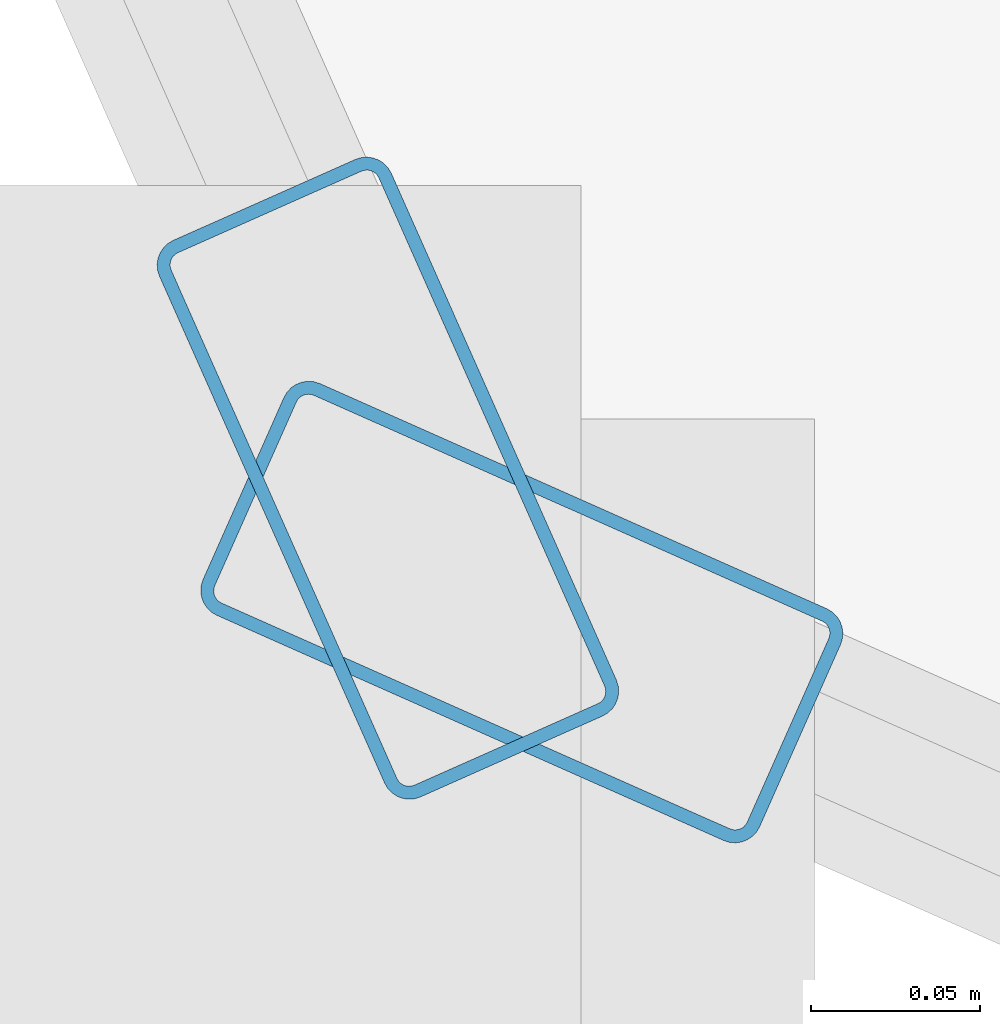
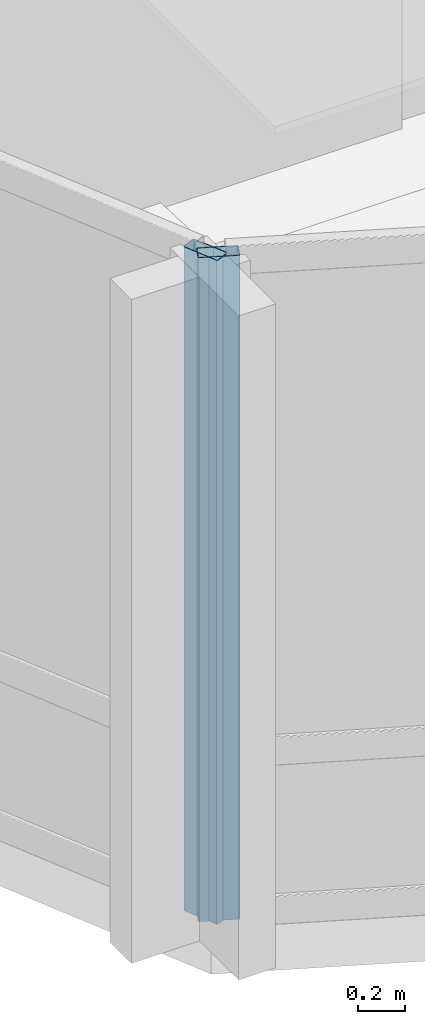
# One storey, part 2 of 29: 2 members, 2 elements without a shape of their own.
"""IFC4 building model written with IfcOpenShell, lengths in metres."""

from ifc_helpers import new_model, si_unit, direction, frame, origin, origin_2d, place, context, subcontext, project, spatial, hollow_rectangle, extrude, material, layer, layer_set, material_profile, profile_set, type_object, element, aggregate, save


model = new_model("IFC4")

# Units and contexts
model_context = context("Model", 3, precision=1e-05, world=origin(), true_north=direction((0.0, 1.0)))
body_context = subcontext(model_context, "Body", "Model", "MODEL_VIEW")
ifc_project = project(units=[si_unit("LENGTHUNIT", "METRE"), si_unit("AREAUNIT", "SQUARE_METRE"), si_unit("VOLUMEUNIT", "CUBIC_METRE"), si_unit("PLANEANGLEUNIT", "RADIAN"), si_unit("MASSUNIT", "GRAM", prefix="KILO")], contexts=[model_context])

# Site, building, storey
site_placement = place(None, origin())
site = spatial("IfcSite", under=ifc_project, at=site_placement, CompositionType="ELEMENT")
building_placement = place(site_placement, origin())
building = spatial("IfcBuilding", under=site, at=building_placement, Name="Solvaryn Broadcast Tower", CompositionType="ELEMENT")
storey_placement = place(building_placement, frame((0.0, 0.0, 161.800048828125)))
storey = spatial("IfcBuildingStorey", under=building, at=storey_placement, Name="L40", CompositionType="ELEMENT", Elevation=161.800048828125)

# Curtain wall, member
ifc_material_1 = material(Name="Aluminium and Terracotta Unitised Curtain Wall", Category="masonry")
ifc_layer_1 = layer(ifc_material_1, 0.239990234375)
ifc_layer_set_1 = layer_set([ifc_layer_1], Name="CW-SYS3-BAYBOX")
curtain_wall_type_1 = type_object("IfcCurtainWallType", Name="CW-SYS3-BAYBOX", PredefinedType="NOTDEFINED", material=ifc_layer_set_1)
curtain_wall_1_placement = place(storey_placement, origin())
curtain_wall_1 = element("IfcCurtainWall", 1, at=curtain_wall_1_placement, inside=storey, type_object=curtain_wall_type_1, Name="L40 Curtain Wall DR2", PredefinedType="NOTDEFINED")
ifc_material_2 = material(Name="Anodised Aluminium 6063-T6", Category="aluminium")
ifc_material_profile = material_profile(ifc_material_2, hollow_rectangle(XDim=0.074951171875, YDim=0.179931640625, WallThickness=0.00390625, InnerFilletRadius=0.00390625, OuterFilletRadius=0.008056640625, at=origin_2d()))
ifc_profile_set = profile_set([ifc_material_profile], Name="Anodised Aluminium 6063-T6")
member_type = type_object("IfcMemberType", Name="CW-MUL-180", PredefinedType="MULLION", material=ifc_profile_set)
member_1_placement = place(storey_placement, frame((8.895751953125, 8.935302734375, 0.0), z_axis=(0.0, 0.0, 1.0), x_axis=(0.913909311008, 0.405918429309, 0.0)))
member_1 = element("IfcMember", 2, at=member_1_placement, type_object=member_type, Name="CWS3 mullion 2", PredefinedType="MULLION", context=body_context, shape_type="SweptSolid", body=[
    extrude(hollow_rectangle(XDim=0.074951171875, YDim=0.179931640625, WallThickness=0.00390625, InnerFilletRadius=0.00390625, OuterFilletRadius=0.008056640625, at=origin_2d()), origin(), (0.0, 0.0, 1.0), 3.419921875),
])
aggregate(curtain_wall_1, [member_1])

ifc_material_3 = material(Name="Aluminium and Terracotta Unitised Curtain Wall", Category="masonry")
ifc_layer_2 = layer(ifc_material_3, 0.199951171875)
ifc_layer_set_2 = layer_set([ifc_layer_2], Name="CW-SYS2-LOWMID")
curtain_wall_type_2 = type_object("IfcCurtainWallType", Name="CW-SYS2-LOWMID", PredefinedType="NOTDEFINED", material=ifc_layer_set_2)
curtain_wall_2_placement = place(storey_placement, origin())
curtain_wall_2 = element("IfcCurtainWall", 3, at=curtain_wall_2_placement, inside=storey, type_object=curtain_wall_type_2, Name="L40 Curtain Wall DR3", PredefinedType="NOTDEFINED")
member_2_placement = place(storey_placement, frame((8.935302734375, 8.895751953125, 0.0), z_axis=(0.0, 0.0, 1.0), x_axis=(0.405918429309, 0.913909311008, 0.0)))
member_2 = element("IfcMember", 4, at=member_2_placement, type_object=member_type, Name="CWS2 mullion 1", PredefinedType="MULLION", context=body_context, shape_type="SweptSolid", body=[
    extrude(hollow_rectangle(XDim=0.074951171875, YDim=0.179931640625, WallThickness=0.00390625, InnerFilletRadius=0.00390625, OuterFilletRadius=0.008056640625, at=origin_2d()), origin(), (0.0, 0.0, 1.0), 3.419921875),
])
aggregate(curtain_wall_2, [member_2])

save(model, "model.ifc")
